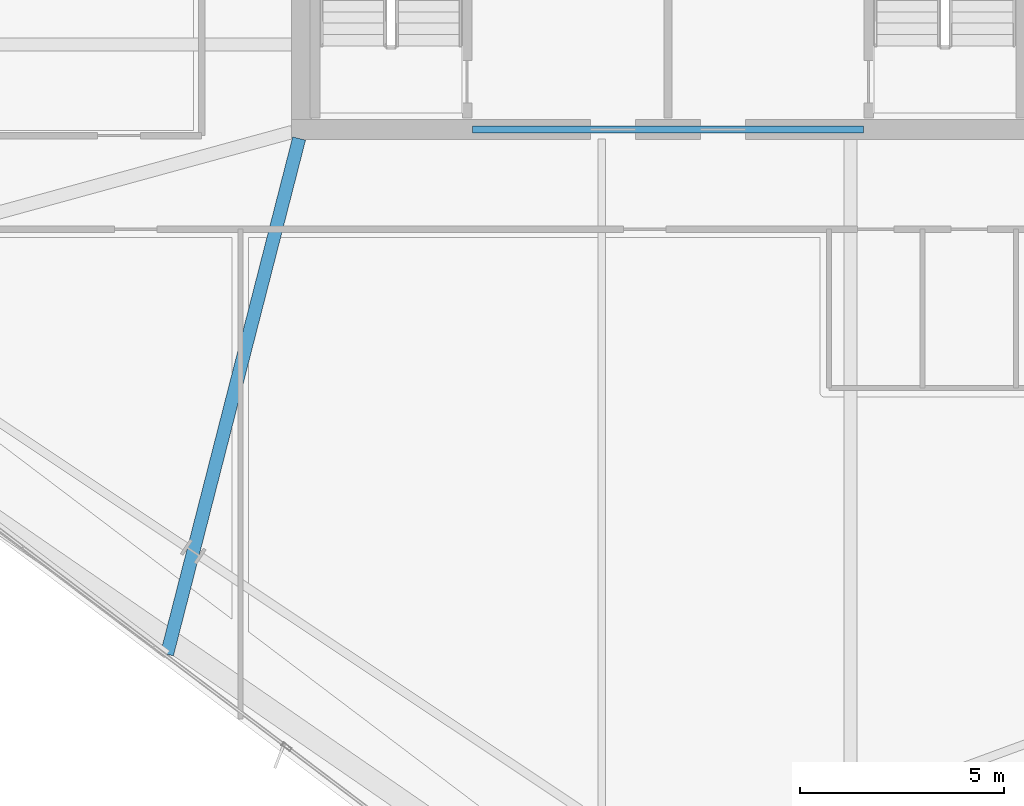
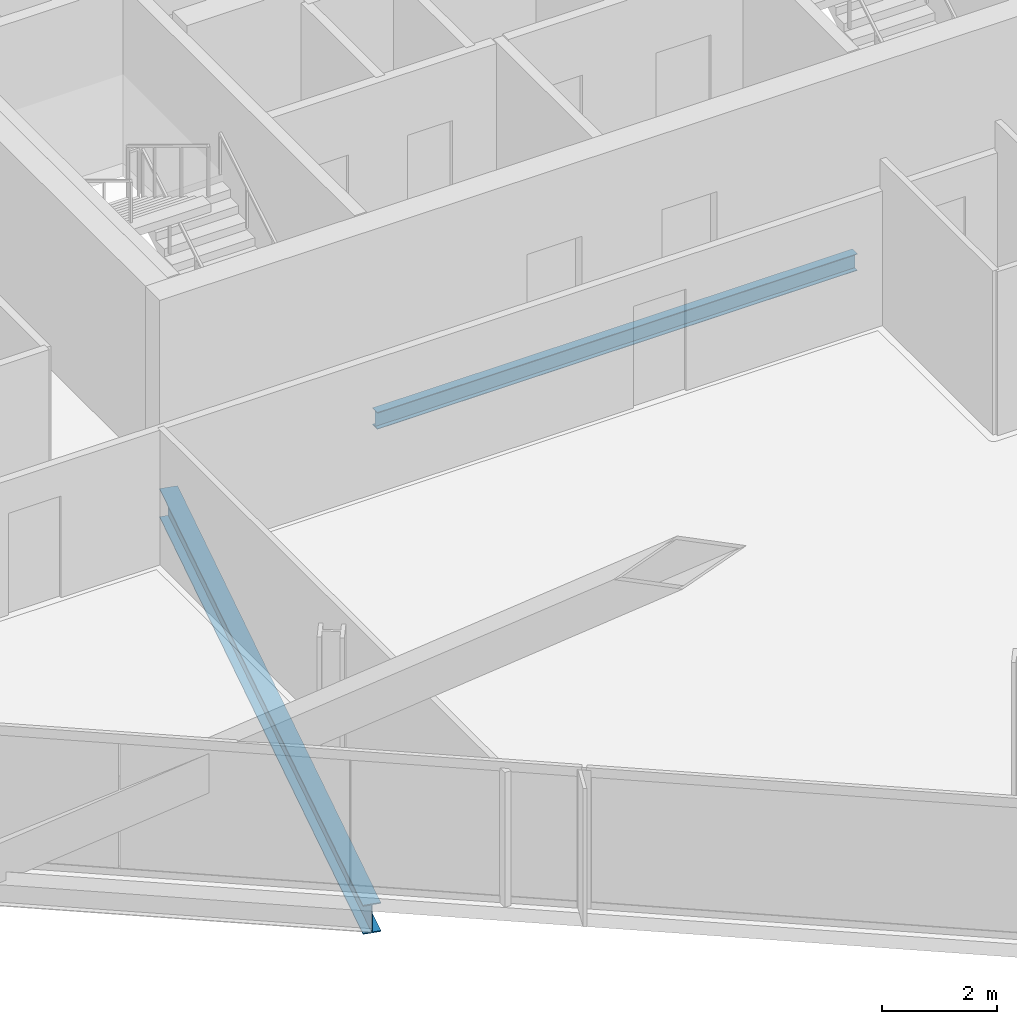
# One storey, part 8 of 34: 2 beams.
"""IFC4 building model written with IfcOpenShell, lengths in metres."""

from ifc_helpers import new_model, si_unit, direction, frame, origin, origin_2d, place, context, subcontext, project, spatial, i_section, extrude, material, material_profile, profile_set, type_object, element, save


model = new_model("IFC4")

# Units and contexts
model_context = context("Model", 3, precision=1e-05, world=origin(), true_north=direction((0.0, 1.0)))
body_context = subcontext(model_context, "Body", "Model", "MODEL_VIEW")
ifc_project = project(units=[si_unit("LENGTHUNIT", "METRE"), si_unit("AREAUNIT", "SQUARE_METRE"), si_unit("VOLUMEUNIT", "CUBIC_METRE"), si_unit("PLANEANGLEUNIT", "RADIAN"), si_unit("MASSUNIT", "GRAM", prefix="KILO")], contexts=[model_context])

# Site, building, storey
site_placement = place(None, origin())
site = spatial("IfcSite", under=ifc_project, at=site_placement, CompositionType="ELEMENT")
building_placement = place(site_placement, origin())
building = spatial("IfcBuilding", under=site, at=building_placement, Name="Haldenkirk Collegiate Tower", CompositionType="ELEMENT")
storey_placement = place(building_placement, frame((0.0, 0.0, 205.949951171875)))
storey = spatial("IfcBuildingStorey", under=building, at=storey_placement, Name="L51", CompositionType="ELEMENT", Elevation=205.949951171875)

# Beams
ifc_material = material(Name="Steel ASTM A992 Grade 50", Category="steel")
ifc_material_profile_1 = material_profile(ifc_material, i_section(OverallWidth=0.324951171875, OverallDepth=0.615966796875, WebThickness=0.013916015625, FlangeThickness=0.021484375, at=origin_2d()), Name="W24X117")
ifc_profile_set_1 = profile_set([ifc_material_profile_1], Name="Steel ASTM A992 Grade 50")
beam_type_1 = type_object("IfcBeamType", Name="BM-GIRDER-W24X117", PredefinedType="BEAM", material=ifc_profile_set_1)
beam_1_placement = place(storey_placement, frame((23.697998046875, 5.11279296875, -0.587890625), z_axis=(0.248204164438, 0.968707743727, 0.0), x_axis=(-0.968707743727, 0.248204164438, 0.0)))
element("IfcBeam", 1, at=beam_1_placement, inside=storey, type_object=beam_type_1, Name="L51 primary floor girder 15", PredefinedType="BEAM", context=body_context, shape_type="SweptSolid", body=[
    extrude(i_section(OverallWidth=0.324951171875, OverallDepth=0.615966796875, WebThickness=0.013916015625, FlangeThickness=0.021484375, at=origin_2d()), origin(), (0.0, 0.0, 1.0), 13.073486328125),
])
ifc_material_profile_2 = material_profile(ifc_material, i_section(OverallWidth=0.1708984375, OverallDepth=0.35595703125, WebThickness=0.007080078125, FlangeThickness=0.01171875, at=origin_2d()), Name="W14X34")
ifc_profile_set_2 = profile_set([ifc_material_profile_2], Name="Steel ASTM A992 Grade 50")
beam_type_2 = type_object("IfcBeamType", Name="BM-LINTEL-W14X34", PredefinedType="LINTEL", material=ifc_profile_set_2)
beam_2_placement = place(storey_placement, frame((31.199951171875, 18.0, -0.4580078125), z_axis=(1.0, 0.0, 0.0), x_axis=(0.0, 1.0, 0.0)))
element("IfcBeam", 2, at=beam_2_placement, inside=storey, type_object=beam_type_2, Name="L51 south core coupling lintel", PredefinedType="LINTEL", context=body_context, shape_type="SweptSolid", body=[
    extrude(i_section(OverallWidth=0.1708984375, OverallDepth=0.35595703125, WebThickness=0.007080078125, FlangeThickness=0.01171875, at=origin_2d()), origin(), (0.0, 0.0, 1.0), 9.60009765625),
])

save(model, "model.ifc")
